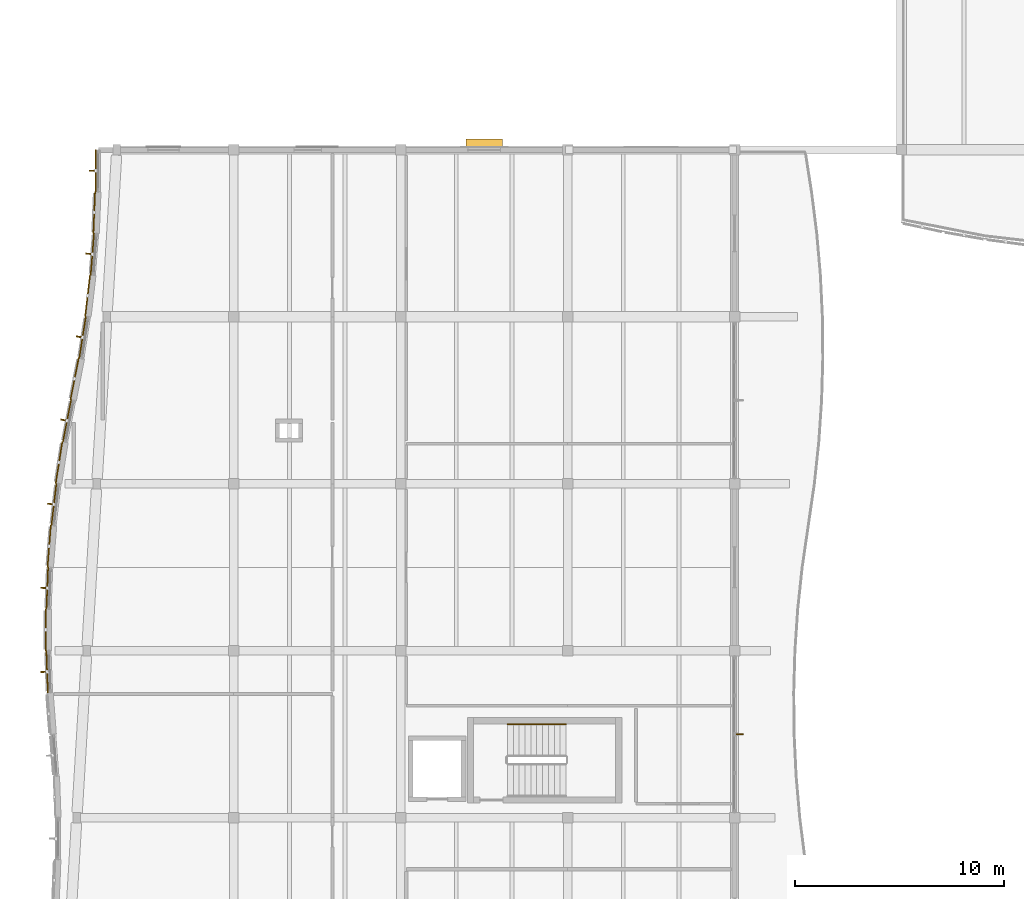
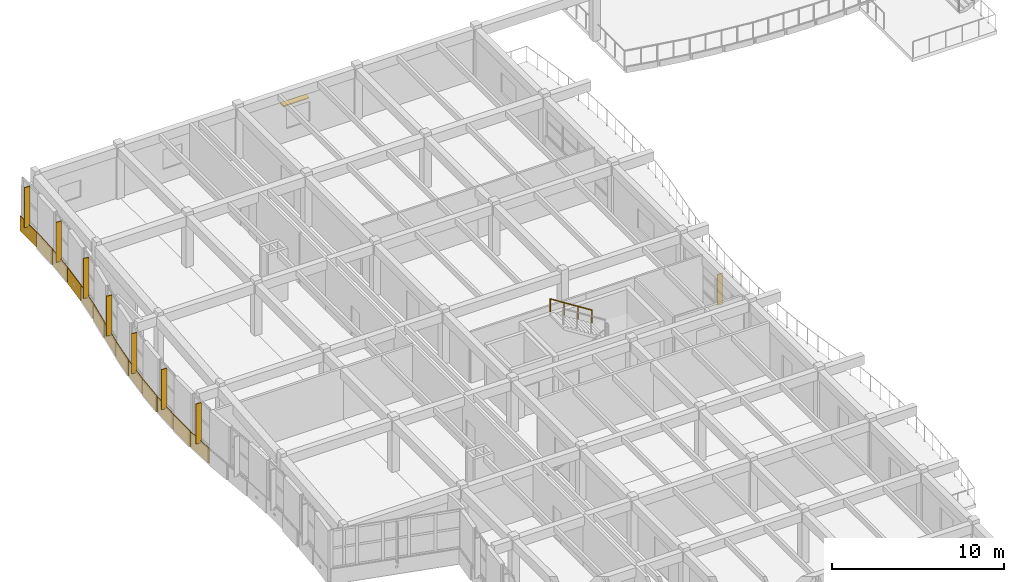
# One storey, part 79 of 89: 13 coverings, 9 shading devices, 1 railing.
"""IFC4 building model written with IfcOpenShell, lengths in metres."""

from ifc_helpers import new_model, si_unit, direction, frame, origin, origin_2d, place, context, subcontext, project, spatial, polyline, rectangle, circle, outline, extrude, material, layer, layer_set, type_object, element, save


model = new_model("IFC4")

# Units and contexts
model_context = context("Model", 3, precision=1e-05, world=origin(), true_north=direction((0.0, 1.0)))
body_context = subcontext(model_context, "Body", "Model", "MODEL_VIEW")
ifc_project = project(units=[si_unit("LENGTHUNIT", "METRE"), si_unit("AREAUNIT", "SQUARE_METRE"), si_unit("VOLUMEUNIT", "CUBIC_METRE"), si_unit("PLANEANGLEUNIT", "RADIAN"), si_unit("MASSUNIT", "GRAM", prefix="KILO")], contexts=[model_context])

# Site, building, storey
site_placement = place(None, origin())
site = spatial("IfcSite", under=ifc_project, at=site_placement, CompositionType="ELEMENT")
building_placement = place(site_placement, origin())
building = spatial("IfcBuilding", under=site, at=building_placement, Name="Tonlespit Floodbar School", CompositionType="ELEMENT")
storey_placement = place(building_placement, frame((0.0, 0.0, 4.5)))
storey = spatial("IfcBuildingStorey", under=building, at=storey_placement, Name="L01", CompositionType="ELEMENT", Elevation=4.5)

# Coverings
ifc_material_1 = material(Name="White Architectural Aluminium", Category="aluminium")
ifc_layer_1 = layer(ifc_material_1, 0.050048828125)
ifc_layer_set_1 = layer_set([ifc_layer_1], Name="White Architectural Aluminium")
covering_type = type_object("IfcCoveringType", Name="Cladding_WhiteBand_50", PredefinedType="CLADDING", material=ifc_layer_set_1)
covering_1_placement = place(storey_placement, frame((0.0, 0.0, -0.1201171875)))
element("IfcCovering", 1, at=covering_1_placement, inside=storey, type_object=covering_type, Name="L01 curved white spandrel cladding 0530", PredefinedType="CLADDING", context=body_context, shape_type="SweptSolid", body=[
    extrude(outline(polyline([(3.118408203125, 69.996337890625), (3.045166015625, 71.996337890625), (2.9951171875, 71.994384765625), (3.068359375, 69.994384765625), (3.118408203125, 69.996337890625)])), origin(), (0.0, 0.0, 1.0), 1.070068359375),
])
covering_2_placement = place(storey_placement, frame((0.0, 0.0, -0.1201171875)))
element("IfcCovering", 2, at=covering_2_placement, inside=storey, type_object=covering_type, Name="L01 curved white spandrel cladding 0531", PredefinedType="CLADDING", context=body_context, shape_type="SweptSolid", body=[
    extrude(outline(polyline([(3.014892578125, 72.000244140625), (3.019287109375, 74.000244140625), (2.969482421875, 74.00048828125), (2.965087890625, 72.00048828125), (3.014892578125, 72.000244140625)])), origin(), (0.0, 0.0, 1.0), 1.1201171875),
])
covering_3_placement = place(storey_placement, frame((0.0, 0.0, -0.1201171875)))
element("IfcCovering", 3, at=covering_3_placement, inside=storey, type_object=covering_type, Name="L01 curved white spandrel cladding 0532", PredefinedType="CLADDING", context=body_context, shape_type="SweptSolid", body=[
    extrude(outline(polyline([(3.049560546875, 74.004150390625), (3.131103515625, 76.004150390625), (3.0810546875, 76.006103515625), (2.99951171875, 74.006103515625), (3.049560546875, 74.004150390625)])), origin(), (0.0, 0.0, 1.0), 1.070068359375),
])
covering_4_placement = place(storey_placement, frame((0.0, 0.0, -0.1201171875)))
element("IfcCovering", 4, at=covering_4_placement, inside=storey, type_object=covering_type, Name="L01 curved white spandrel cladding 0533", PredefinedType="CLADDING", context=body_context, shape_type="SweptSolid", body=[
    extrude(outline(polyline([(3.101318359375, 76.01025390625), (3.259765625, 78.01025390625), (3.2099609375, 78.014404296875), (3.051513671875, 76.014404296875), (3.101318359375, 76.01025390625)])), origin(), (0.0, 0.0, 1.0), 1.1201171875),
])
covering_5_placement = place(storey_placement, frame((0.0, 0.0, -0.1201171875)))
element("IfcCovering", 5, at=covering_5_placement, inside=storey, type_object=covering_type, Name="L01 curved white spandrel cladding 0534", PredefinedType="CLADDING", context=body_context, shape_type="SweptSolid", body=[
    extrude(outline(polyline([(3.2900390625, 78.01171875), (3.525634765625, 80.01171875), (3.47607421875, 80.017578125), (3.240478515625, 78.017578125), (3.2900390625, 78.01171875)])), origin(), (0.0, 0.0, 1.0), 1.070068359375),
])
covering_6_placement = place(storey_placement, frame((0.0, 0.0, -0.1201171875)))
element("IfcCovering", 6, at=covering_6_placement, inside=storey, type_object=covering_type, Name="L01 curved white spandrel cladding 0535", PredefinedType="CLADDING", context=body_context, shape_type="SweptSolid", body=[
    extrude(outline(polyline([(3.49658203125, 80.02001953125), (3.809814453125, 82.02001953125), (3.760498046875, 82.02783203125), (3.447265625, 80.02783203125), (3.49658203125, 80.02001953125)])), origin(), (0.0, 0.0, 1.0), 1.1201171875),
])
covering_7_placement = place(storey_placement, frame((0.0, 0.0, -0.1201171875)))
element("IfcCovering", 7, at=covering_7_placement, inside=storey, type_object=covering_type, Name="L01 curved white spandrel cladding 0536", PredefinedType="CLADDING", context=body_context, shape_type="SweptSolid", body=[
    extrude(outline(polyline([(3.840087890625, 82.019287109375), (4.23193359375, 84.019287109375), (4.182861328125, 84.02880859375), (3.791015625, 82.02880859375), (3.840087890625, 82.019287109375)])), origin(), (0.0, 0.0, 1.0), 1.070068359375),
])
covering_8_placement = place(storey_placement, frame((0.0, 0.0, -0.1201171875)))
element("IfcCovering", 8, at=covering_8_placement, inside=storey, type_object=covering_type, Name="L01 curved white spandrel cladding 0537", PredefinedType="CLADDING", context=body_context, shape_type="SweptSolid", body=[
    extrude(outline(polyline([(4.202392578125, 84.02490234375), (4.59423828125, 86.02490234375), (4.545166015625, 86.03466796875), (4.1533203125, 84.03466796875), (4.202392578125, 84.02490234375)])), origin(), (0.0, 0.0, 1.0), 1.1201171875),
])
covering_9_placement = place(storey_placement, frame((0.0, 0.0, -0.1201171875)))
element("IfcCovering", 9, at=covering_9_placement, inside=storey, type_object=covering_type, Name="L01 curved white spandrel cladding 0538", PredefinedType="CLADDING", context=body_context, shape_type="SweptSolid", body=[
    extrude(outline(polyline([(4.623046875, 86.015380859375), (4.936279296875, 88.015380859375), (4.88671875, 88.023193359375), (4.573486328125, 86.023193359375), (4.623046875, 86.015380859375)])), origin(), (0.0, 0.0, 1.0), 1.070068359375),
])
covering_10_placement = place(storey_placement, frame((0.0, 0.0, -0.1201171875)))
element("IfcCovering", 10, at=covering_10_placement, inside=storey, type_object=covering_type, Name="L01 curved white spandrel cladding 0539", PredefinedType="CLADDING", context=body_context, shape_type="SweptSolid", body=[
    extrude(outline(polyline([(4.906005859375, 88.01513671875), (5.1416015625, 90.01513671875), (5.091796875, 90.02099609375), (4.856201171875, 88.02099609375), (4.906005859375, 88.01513671875)])), origin(), (0.0, 0.0, 1.0), 1.1201171875),
])
covering_11_placement = place(storey_placement, frame((0.0, 0.0, -0.1201171875)))
element("IfcCovering", 11, at=covering_11_placement, inside=storey, type_object=covering_type, Name="L01 curved white spandrel cladding 0540", PredefinedType="CLADDING", context=body_context, shape_type="SweptSolid", body=[
    extrude(outline(polyline([(5.1708984375, 90.0078125), (5.329345703125, 92.0078125), (5.279541015625, 92.011962890625), (5.12109375, 90.011962890625), (5.1708984375, 90.0078125)])), origin(), (0.0, 0.0, 1.0), 1.070068359375),
])
covering_12_placement = place(storey_placement, frame((0.0, 0.0, -0.1201171875)))
element("IfcCovering", 12, at=covering_12_placement, inside=storey, type_object=covering_type, Name="L01 curved white spandrel cladding 0541", PredefinedType="CLADDING", context=body_context, shape_type="SweptSolid", body=[
    extrude(outline(polyline([(5.29931640625, 92.00537109375), (5.380615234375, 94.00537109375), (5.330810546875, 94.00732421875), (5.249267578125, 92.00732421875), (5.29931640625, 92.00537109375)])), origin(), (0.0, 0.0, 1.0), 1.1201171875),
])
covering_13_placement = place(storey_placement, frame((0.0, 0.0, -0.1201171875)))
element("IfcCovering", 13, at=covering_13_placement, inside=storey, type_object=covering_type, Name="L01 curved white spandrel cladding 0542", PredefinedType="CLADDING", context=body_context, shape_type="SweptSolid", body=[
    extrude(outline(polyline([(5.41064453125, 94.000244140625), (5.4150390625, 96.000244140625), (5.364990234375, 96.000244140625), (5.360595703125, 94.000244140625), (5.41064453125, 94.000244140625)])), origin(), (0.0, 0.0, 1.0), 1.070068359375),
])

# Railing
ifc_material_2 = material(Name="Galvanised Steel", Category="steel")
railing_type = type_object("IfcRailingType", Name="Handrail_Int_920", PredefinedType="HANDRAIL", material=ifc_material_2)
railing_placement = place(storey_placement, frame((27.919921875, 68.489990234375, 2.127197265625)))
element("IfcRailing", 14, at=railing_placement, inside=storey, type_object=railing_type, Name="L01 ST-C3 stair handrail 2", PredefinedType="HANDRAIL", context=body_context, shape_type="SweptSolid", body=[
    extrude(circle(Radius=0.02392578125, at=origin_2d()), frame((0.0, 0.0, 0.89599609375), z_axis=(-0.844887892834, 0.0, 0.53494340686), x_axis=(0.0, -1.0, 0.0)), (0.0, 0.0, 1.0), 3.313720703125),
    extrude(circle(Radius=0.02099609375, at=origin_2d()), origin(), (0.0, 0.0, 1.0), 0.871826171875),
    extrude(circle(Radius=0.02099609375, at=origin_2d()), frame((-0.933349609375, 0.0, 0.5908203125)), (0.0, 0.0, 1.0), 0.871826171875),
    extrude(circle(Radius=0.02099609375, at=origin_2d()), frame((-1.866455078125, 0.0, 1.181884765625)), (0.0, 0.0, 1.0), 0.871826171875),
    extrude(circle(Radius=0.02099609375, at=origin_2d()), frame((-2.7998046875, 0.0, 1.772705078125)), (0.0, 0.0, 1.0), 0.871826171875),
])

# Shading devices
ifc_material_3 = material(Name="Anodised Aluminium", Category="aluminium")
ifc_layer_2 = layer(ifc_material_3, 0.080078125)
ifc_layer_set_2 = layer_set([ifc_layer_2], Name="Anodised Aluminium")
shading_device_type_1 = type_object("IfcShadingDeviceType", Name="Shading_MonsoonJalousie_400", PredefinedType="JALOUSIE", material=ifc_layer_set_2)
shading_device_1_placement = place(storey_placement, frame((24.0, 96.318115234375, 2.369873046875), z_axis=(0.0, 0.0, 1.0), x_axis=(1.0, 0.0, 0.0)))
element("IfcShadingDevice", 15, at=shading_device_1_placement, inside=storey, type_object=shading_device_type_1, Name="L01 monsoon jalousie 147", PredefinedType="JALOUSIE", context=body_context, shape_type="SweptSolid", body=[
    extrude(rectangle(XDim=1.75, YDim=0.39990234375, at=origin_2d()), origin(), (0.0, 0.0, 1.0), 0.080078125),
])
ifc_material_4 = material(Name="Terracotta Anodised Aluminium", Category="masonry")
ifc_layer_3 = layer(ifc_material_4, 0.06005859375)
ifc_layer_set_3 = layer_set([ifc_layer_3], Name="Terracotta Anodised Aluminium")
shading_device_type_2 = type_object("IfcShadingDeviceType", Name="Shading_SolarFin_350", PredefinedType="USERDEFINED", material=ifc_layer_set_3)
for number, where, z_axis, x_axis, name in (
    (16, (2.921875, 70.990478515625, 0.800048828125), (0.0, 0.0, 1.0), (-0.036575686496, 0.999330885722, 0.0), "L01 vertical solar fin 140"),
    (17, (2.930419921875, 75.010498046875, 0.800048828125), (0.0, 0.0, 1.0), (0.040715999914, 0.999170759856, 0.0), "L01 vertical solar fin 141"),
    (18, (3.2490234375, 79.030517578125, 0.800048828125), (0.0, 0.0, 1.0), (0.116991411823, 0.99313292643, 0.0), "L01 vertical solar fin 142"),
    (19, (3.87890625, 83.050048828125, 0.800048828125), (0.0, 0.0, 1.0), (0.192246217643, 0.98134672354, 0.0), "L01 vertical solar fin 143"),
    (20, (4.62158203125, 87.040283203125, 0.800048828125), (0.0, 0.0, 1.0), (0.154713834929, 0.987959325722, 0.0), "L01 vertical solar fin 144"),
    (21, (5.0908203125, 91.0205078125, 0.800048828125), (0.0, 0.0, 1.0), (0.079001948152, 0.996874461599, 0.0), "L01 vertical solar fin 145"),
    (22, (5.252685546875, 95.00048828125, 0.800048828125), (0.0, 0.0, 1.0), (0.00220085841, 0.999997578108, 0.0), "L01 vertical solar fin 146"),
):
    element("IfcShadingDevice", number, at=place(storey_placement, frame(where, z_axis=z_axis, x_axis=x_axis)), inside=storey, type_object=shading_device_type_2, Name=name, ObjectType="SOLAR FIN", PredefinedType="USERDEFINED", context=body_context, shape_type="SweptSolid", body=[
        extrude(rectangle(XDim=0.06005859375, YDim=0.35009765625, at=origin_2d()), origin(), (0.0, 0.0, 1.0), 2.85009765625),
    ])
shading_device_2_placement = place(storey_placement, frame((36.25244140625, 68.0, 0.7998046875), z_axis=(0.0, 0.0, 1.0), x_axis=(0.0, -1.0, 0.0)))
element("IfcShadingDevice", 23, at=shading_device_2_placement, inside=storey, type_object=shading_device_type_2, Name="L01 vertical solar fin 149", ObjectType="SOLAR FIN", PredefinedType="USERDEFINED", context=body_context, shape_type="SweptSolid", body=[
    extrude(rectangle(XDim=0.06005859375, YDim=0.35009765625, at=origin_2d()), origin(), (0.0, 0.0, 1.0), 2.199951171875),
])

save(model, "model.ifc")
